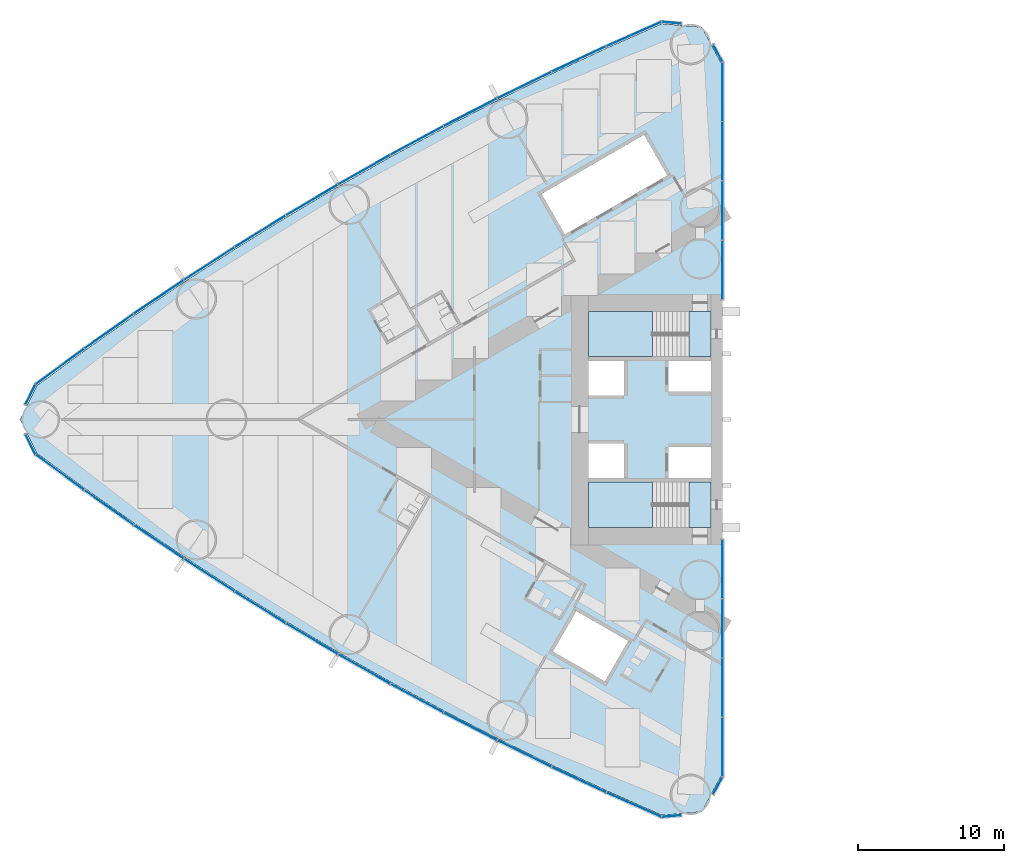
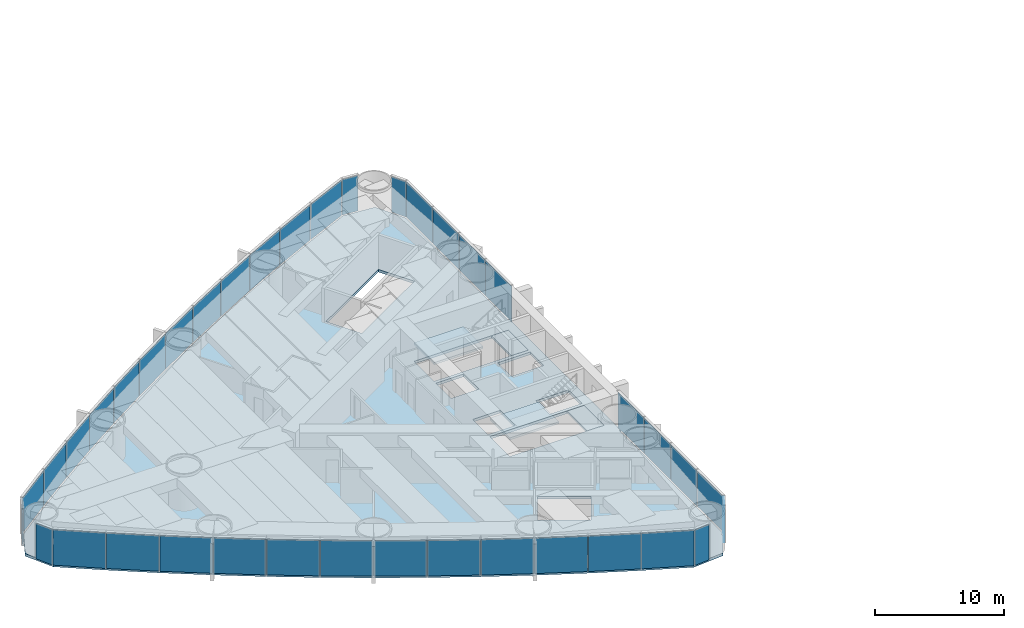
# One storey, part 9 of 19: 38 plates, 5 slabs, 6 elements without a shape of their own.
"""IFC4 building model written with IfcOpenShell, lengths in metres."""

from ifc_helpers import new_model, si_unit, direction, frame, origin, origin_2d, place, context, subcontext, project, spatial, polyline, rectangle, outline, extrude, material, layer, layer_set, type_object, element, aggregate, save


model = new_model("IFC4")

# Units and contexts
model_context = context("Model", 3, precision=1e-05, world=origin(), true_north=direction((0.0, 1.0)))
body_context = subcontext(model_context, "Body", "Model", "MODEL_VIEW")
ifc_project = project(units=[si_unit("LENGTHUNIT", "METRE"), si_unit("AREAUNIT", "SQUARE_METRE"), si_unit("VOLUMEUNIT", "CUBIC_METRE"), si_unit("PLANEANGLEUNIT", "RADIAN"), si_unit("MASSUNIT", "GRAM", prefix="KILO")], contexts=[model_context])

# Site, building, storey
site_placement = place(None, origin())
site = spatial("IfcSite", under=ifc_project, at=site_placement, CompositionType="ELEMENT")
building_placement = place(site_placement, origin())
building = spatial("IfcBuilding", under=site, at=building_placement, Name="Lancet Gate Hotel", CompositionType="ELEMENT")
storey_placement = place(building_placement, frame((0.0, 0.0, 21.5)))
storey = spatial("IfcBuildingStorey", under=building, at=storey_placement, Name="L04", CompositionType="ELEMENT", Elevation=21.5)

# Slab
ifc_material_1 = material(Name="Concrete C50/60", Category="concrete")
ifc_layer_1 = layer(ifc_material_1, 0.25)
ifc_layer_set_1 = layer_set([ifc_layer_1], Name="Floor slab 250")
slab_type_1 = type_object("IfcSlabType", Name="Floor slab 250", PredefinedType="FLOOR", material=ifc_layer_set_1)
slab_1_placement = place(storey_placement, frame((0.0, 0.0, -0.25)))
element("IfcSlab", 1, at=slab_1_placement, inside=storey, type_object=slab_type_1, Name="T1 L04 floor slab", PredefinedType="FLOOR", context=body_context, shape_type="SweptSolid", body=[
    extrude(outline(polyline([(-27.5, 8.60009765625), (-27.6201171875, 8.60009765625), (-27.6201171875, 24.4609375), (-28.926513671875, 26.8837890625), (-31.668212890625, 27.12353515625), (-35.424072265625, 25.458740234375), (-39.173583984375, 23.70849609375), (-42.887939453125, 21.884765625), (-46.56591796875, 19.98876953125), (-50.2060546875, 18.02099609375), (-53.806884765625, 15.982421875), (-57.366943359375, 13.87353515625), (-60.88525390625, 11.695068359375), (-64.360107421875, 9.448486328125), (-67.7900390625, 7.134033203125), (-71.17431640625, 4.752685546875), (-74.488525390625, 2.322021484375), (-75.65087890625, 0.0), (-74.488525390625, -2.322021484375), (-71.17431640625, -4.752685546875), (-67.7900390625, -7.134033203125), (-64.360107421875, -9.448486328125), (-60.88525390625, -11.695068359375), (-57.366943359375, -13.87353515625), (-53.806884765625, -15.982421875), (-50.2060546875, -18.02099609375), (-46.56591796875, -19.98876953125), (-42.887939453125, -21.884765625), (-39.173583984375, -23.70849609375), (-35.424072265625, -25.458740234375), (-31.668212890625, -27.12353515625), (-28.926513671875, -26.8837890625), (-27.6201171875, -24.4609375), (-27.6201171875, -8.60009765625), (-27.5, -8.60009765625), (-27.5, -8.199951171875), (-27.5, 8.199951171875), (-27.5, 8.60009765625)]), holes=[polyline([(-36.699951171875, 7.39990234375), (-36.699951171875, 4.300048828125), (-28.300048828125, 4.300048828125), (-28.300048828125, 7.39990234375), (-36.699951171875, 7.39990234375)]), polyline([(-28.300048828125, 4.0), (-31.199951171875, 4.0), (-31.199951171875, 1.89990234375), (-28.300048828125, 1.89990234375), (-28.300048828125, 4.0)]), polyline([(-34.25, 4.0), (-36.699951171875, 4.0), (-36.699951171875, 1.64990234375), (-34.25, 1.64990234375), (-34.25, 4.0)]), polyline([(-36.699951171875, -1.64990234375), (-36.699951171875, -4.0), (-34.25, -4.0), (-34.25, -1.64990234375), (-36.699951171875, -1.64990234375)]), polyline([(-28.300048828125, -1.89990234375), (-31.199951171875, -1.89990234375), (-31.199951171875, -4.0), (-28.300048828125, -4.0), (-28.300048828125, -1.89990234375)]), polyline([(-28.300048828125, -4.300048828125), (-36.699951171875, -4.300048828125), (-36.699951171875, -7.39990234375), (-28.300048828125, -7.39990234375), (-28.300048828125, -4.300048828125)]), polyline([(-31.2900390625, 16.73095703125), (-32.889892578125, 19.501953125), (-39.904052734375, 15.451904296875), (-38.303955078125, 12.680908203125), (-31.2900390625, 16.73095703125)]), polyline([(-33.97412109375, -15.180908203125), (-37.52490234375, -13.131103515625), (-39.125, -15.902099609375), (-35.573974609375, -17.951904296875), (-33.97412109375, -15.180908203125)])]), origin(), (0.0, 0.0, 1.0), 0.25),
])

# Stair, slabs
ifc_material_2 = material(Name="Exit stair 20 risers 1500")
stair_type = type_object("IfcStairType", Name="Exit stair 20 risers 1500", PredefinedType="HALF_TURN_STAIR", material=ifc_material_2)
stair_1_placement = place(storey_placement, origin())
stair_1 = element("IfcStair", 2, at=stair_1_placement, inside=storey, type_object=stair_type, Name="T1 stair 1 L04", PredefinedType="HALF_TURN_STAIR")
ifc_material_3 = material(Name="Concrete C40/50", Category="concrete")
ifc_layer_2 = layer(ifc_material_3, 0.199951171875)
ifc_layer_set_2 = layer_set([ifc_layer_2], Name="Stair landing 200")
slab_type_2 = type_object("IfcSlabType", Name="Stair landing 200", PredefinedType="LANDING", material=ifc_layer_set_2)
slab_2_placement = place(storey_placement, frame((0.0, 0.0, -0.199951171875)))
slab_2 = element("IfcSlab", 3, at=slab_2_placement, type_object=slab_type_2, Name="ST1 landing 1", PredefinedType="LANDING", context=body_context, shape_type="SweptSolid", body=[
    extrude(outline(polyline([(-28.300048828125, 7.39990234375), (-29.800048828125, 7.39990234375), (-29.800048828125, 4.300048828125), (-28.300048828125, 4.300048828125), (-28.300048828125, 7.39990234375)])), origin(), (0.0, 0.0, 1.0), 0.199951171875),
])
slab_3_placement = place(storey_placement, frame((0.0, 0.0, 1.550048828125)))
slab_3 = element("IfcSlab", 4, at=slab_3_placement, type_object=slab_type_2, Name="ST1 landing 2", PredefinedType="LANDING", context=body_context, shape_type="SweptSolid", body=[
    extrude(outline(polyline([(-32.320068359375, 7.39990234375), (-36.699951171875, 7.39990234375), (-36.699951171875, 4.300048828125), (-32.320068359375, 4.300048828125), (-32.320068359375, 7.39990234375)])), origin(), (0.0, 0.0, 1.0), 0.199951171875),
])
aggregate(stair_1, [slab_2, slab_3])

stair_2_placement = place(storey_placement, origin())
stair_2 = element("IfcStair", 5, at=stair_2_placement, inside=storey, type_object=stair_type, Name="T1 stair 2 L04", PredefinedType="HALF_TURN_STAIR")
slab_4_placement = place(storey_placement, frame((0.0, 0.0, -0.199951171875)))
slab_4 = element("IfcSlab", 6, at=slab_4_placement, type_object=slab_type_2, Name="ST2 landing 1", PredefinedType="LANDING", context=body_context, shape_type="SweptSolid", body=[
    extrude(outline(polyline([(-28.300048828125, -4.300048828125), (-29.800048828125, -4.300048828125), (-29.800048828125, -7.39990234375), (-28.300048828125, -7.39990234375), (-28.300048828125, -4.300048828125)])), origin(), (0.0, 0.0, 1.0), 0.199951171875),
])
slab_5_placement = place(storey_placement, frame((0.0, 0.0, 1.550048828125)))
slab_5 = element("IfcSlab", 7, at=slab_5_placement, type_object=slab_type_2, Name="ST2 landing 2", PredefinedType="LANDING", context=body_context, shape_type="SweptSolid", body=[
    extrude(outline(polyline([(-32.320068359375, -4.300048828125), (-36.699951171875, -4.300048828125), (-36.699951171875, -7.39990234375), (-32.320068359375, -7.39990234375), (-32.320068359375, -4.300048828125)])), origin(), (0.0, 0.0, 1.0), 0.199951171875),
])
aggregate(stair_2, [slab_4, slab_5])

# Curtain wall, plates
ifc_material_4 = material(Name="Aluminium curtain wall", Category="aluminium")
curtain_wall_type = type_object("IfcCurtainWallType", Name="Tower unitised curtain wall", PredefinedType="USERDEFINED", material=ifc_material_4)
curtain_wall_1_placement = place(storey_placement, origin())
curtain_wall_1 = element("IfcCurtainWall", 8, at=curtain_wall_1_placement, inside=storey, type_object=curtain_wall_type, Name="T1 L04 curtain wall 1", ObjectType="UNITISED CURTAIN WALL", PredefinedType="USERDEFINED")
ifc_material_5 = material(Name="Glass double glazed unit 8-16-6", Category="glass")
ifc_layer_3 = layer(ifc_material_5, 0.030029296875)
ifc_layer_set_3 = layer_set([ifc_layer_3], Name="Vision panel double glazed")
plate_type = type_object("IfcPlateType", Name="Vision panel double glazed", PredefinedType="CURTAIN_PANEL", material=ifc_layer_set_3)
plate_1_placement = place(storey_placement, frame((-27.5, 10.236328125, 0.0), z_axis=(0.0, 0.0, 1.0), x_axis=(0.0, 1.0, 0.0)))
plate_1 = element("IfcPlate", 9, at=plate_1_placement, type_object=plate_type, Name="T1 L04 curtain wall 1 panel 1", PredefinedType="CURTAIN_PANEL", context=body_context, shape_type="SweptSolid", body=[
    extrude(rectangle(XDim=4.0078125, YDim=0.030029296875, at=origin_2d()), origin(), (0.0, 0.0, 1.0), 3.35009765625),
])
plate_2_placement = place(storey_placement, frame((-27.5, 14.30908203125, 0.0), z_axis=(0.0, 0.0, 1.0), x_axis=(0.0, 1.0, 0.0)))
plate_2 = element("IfcPlate", 10, at=plate_2_placement, type_object=plate_type, Name="T1 L04 curtain wall 1 panel 2", PredefinedType="CURTAIN_PANEL", context=body_context, shape_type="SweptSolid", body=[
    extrude(rectangle(XDim=4.0078125, YDim=0.030029296875, at=origin_2d()), origin(), (0.0, 0.0, 1.0), 3.35009765625),
])
plate_3_placement = place(storey_placement, frame((-27.5, 18.382080078125, 0.0), z_axis=(0.0, 0.0, 1.0), x_axis=(0.0, 1.0, 0.0)))
plate_3 = element("IfcPlate", 11, at=plate_3_placement, type_object=plate_type, Name="T1 L04 curtain wall 1 panel 3", PredefinedType="CURTAIN_PANEL", context=body_context, shape_type="SweptSolid", body=[
    extrude(rectangle(XDim=4.0078125, YDim=0.030029296875, at=origin_2d()), origin(), (0.0, 0.0, 1.0), 3.35009765625),
])
plate_4_placement = place(storey_placement, frame((-27.5, 22.454833984375, 0.0), z_axis=(0.0, 0.0, 1.0), x_axis=(0.0, 1.0, 0.0)))
plate_4 = element("IfcPlate", 12, at=plate_4_placement, type_object=plate_type, Name="T1 L04 curtain wall 1 panel 4", PredefinedType="CURTAIN_PANEL", context=body_context, shape_type="SweptSolid", body=[
    extrude(rectangle(XDim=4.0078125, YDim=0.030029296875, at=origin_2d()), origin(), (0.0, 0.0, 1.0), 3.35009765625),
])
plate_5_placement = place(storey_placement, frame((-27.829345703125, 25.10205078125, 0.0), z_axis=(0.0, 0.0, 1.0), x_axis=(-0.474631040972, 0.880184852714, 0.0)))
plate_5 = element("IfcPlate", 13, at=plate_5_placement, type_object=plate_type, Name="T1 L04 curtain wall 1 panel 5", PredefinedType="CURTAIN_PANEL", context=body_context, shape_type="SweptSolid", body=[
    extrude(rectangle(XDim=1.322998046875, YDim=0.030029296875, at=origin_2d()), origin(), (0.0, 0.0, 1.0), 3.35009765625),
])
aggregate(curtain_wall_1, [plate_1, plate_2, plate_3, plate_4, plate_5])

curtain_wall_2_placement = place(storey_placement, origin())
curtain_wall_2 = element("IfcCurtainWall", 14, at=curtain_wall_2_placement, inside=storey, type_object=curtain_wall_type, Name="T1 L04 curtain wall 2", ObjectType="UNITISED CURTAIN WALL", PredefinedType="USERDEFINED")
plate_6_placement = place(storey_placement, frame((-30.99658203125, 27.185302734375, 0.0), z_axis=(0.0, 0.0, 1.0), x_axis=(-0.99620380374, 0.087051602022, 0.0)))
plate_6 = element("IfcPlate", 15, at=plate_6_placement, type_object=plate_type, Name="T1 L04 curtain wall 2 panel 1", PredefinedType="CURTAIN_PANEL", context=body_context, shape_type="SweptSolid", body=[
    extrude(rectangle(XDim=1.32421875, YDim=0.030029296875, at=origin_2d()), origin(), (0.0, 0.0, 1.0), 3.35009765625),
])
plate_7_placement = place(storey_placement, frame((-33.581298828125, 26.406982421875, 0.0), z_axis=(0.0, 0.0, 1.0), x_axis=(-0.914234183208, -0.405186201954, 0.0)))
plate_7 = element("IfcPlate", 16, at=plate_7_placement, type_object=plate_type, Name="T1 L04 curtain wall 2 panel 2", PredefinedType="CURTAIN_PANEL", context=body_context, shape_type="SweptSolid", body=[
    extrude(rectangle(XDim=4.0751953125, YDim=0.030029296875, at=origin_2d()), origin(), (0.0, 0.0, 1.0), 3.35009765625),
])
plate_8_placement = place(storey_placement, frame((-37.349609375, 24.6923828125, 0.0), z_axis=(0.0, 0.0, 1.0), x_axis=(-0.906117767284, -0.423025521467, 0.0)))
plate_8 = element("IfcPlate", 17, at=plate_8_placement, type_object=plate_type, Name="T1 L04 curtain wall 2 panel 3", PredefinedType="CURTAIN_PANEL", context=body_context, shape_type="SweptSolid", body=[
    extrude(rectangle(XDim=4.0751953125, YDim=0.030029296875, at=origin_2d()), origin(), (0.0, 0.0, 1.0), 3.35009765625),
])
plate_9_placement = place(storey_placement, frame((-41.083740234375, 22.904296875, 0.0), z_axis=(0.0, 0.0, 1.0), x_axis=(-0.897653295642, -0.440702349463, 0.0)))
plate_9 = element("IfcPlate", 18, at=plate_9_placement, type_object=plate_type, Name="T1 L04 curtain wall 2 panel 4", PredefinedType="CURTAIN_PANEL", context=body_context, shape_type="SweptSolid", body=[
    extrude(rectangle(XDim=4.0751953125, YDim=0.030029296875, at=origin_2d()), origin(), (0.0, 0.0, 1.0), 3.35009765625),
])
plate_10_placement = place(storey_placement, frame((-44.781982421875, 21.04345703125, 0.0), z_axis=(0.0, 0.0, 1.0), x_axis=(-0.888844019644, -0.458209895946, 0.0)))
plate_10 = element("IfcPlate", 19, at=plate_10_placement, type_object=plate_type, Name="T1 L04 curtain wall 2 panel 5", PredefinedType="CURTAIN_PANEL", context=body_context, shape_type="SweptSolid", body=[
    extrude(rectangle(XDim=4.0751953125, YDim=0.030029296875, at=origin_2d()), origin(), (0.0, 0.0, 1.0), 3.35009765625),
])
plate_11_placement = place(storey_placement, frame((-48.443115234375, 19.110595703125, 0.0), z_axis=(0.0, 0.0, 1.0), x_axis=(-0.87969332307, -0.475541435993, 0.0)))
plate_11 = element("IfcPlate", 20, at=plate_11_placement, type_object=plate_type, Name="T1 L04 curtain wall 2 panel 6", PredefinedType="CURTAIN_PANEL", context=body_context, shape_type="SweptSolid", body=[
    extrude(rectangle(XDim=4.0751953125, YDim=0.030029296875, at=origin_2d()), origin(), (0.0, 0.0, 1.0), 3.35009765625),
])
plate_12_placement = place(storey_placement, frame((-52.065673828125, 17.106201171875, 0.0), z_axis=(0.0, 0.0, 1.0), x_axis=(-0.870204720871, -0.492690312238, 0.0)))
plate_12 = element("IfcPlate", 21, at=plate_12_placement, type_object=plate_type, Name="T1 L04 curtain wall 2 panel 7", PredefinedType="CURTAIN_PANEL", context=body_context, shape_type="SweptSolid", body=[
    extrude(rectangle(XDim=4.0751953125, YDim=0.030029296875, at=origin_2d()), origin(), (0.0, 0.0, 1.0), 3.35009765625),
])
plate_13_placement = place(storey_placement, frame((-55.648193359375, 15.031005859375, 0.0), z_axis=(0.0, 0.0, 1.0), x_axis=(-0.860381857795, -0.509649937484, 0.0)))
plate_13 = element("IfcPlate", 22, at=plate_13_placement, type_object=plate_type, Name="T1 L04 curtain wall 2 panel 8", PredefinedType="CURTAIN_PANEL", context=body_context, shape_type="SweptSolid", body=[
    extrude(rectangle(XDim=4.0751953125, YDim=0.030029296875, at=origin_2d()), origin(), (0.0, 0.0, 1.0), 3.35009765625),
])
plate_14_placement = place(storey_placement, frame((-59.189208984375, 12.88623046875, 0.0), z_axis=(0.0, 0.0, 1.0), x_axis=(-0.850228506958, -0.52641379727, 0.0)))
plate_14 = element("IfcPlate", 23, at=plate_14_placement, type_object=plate_type, Name="T1 L04 curtain wall 2 panel 9", PredefinedType="CURTAIN_PANEL", context=body_context, shape_type="SweptSolid", body=[
    extrude(rectangle(XDim=4.0751953125, YDim=0.030029296875, at=origin_2d()), origin(), (0.0, 0.0, 1.0), 3.35009765625),
])
plate_15_placement = place(storey_placement, frame((-62.687744140625, 10.672607421875, 0.0), z_axis=(0.0, 0.0, 1.0), x_axis=(-0.839748568448, -0.54297545229, 0.0)))
plate_15 = element("IfcPlate", 24, at=plate_15_placement, type_object=plate_type, Name="T1 L04 curtain wall 2 panel 10", PredefinedType="CURTAIN_PANEL", context=body_context, shape_type="SweptSolid", body=[
    extrude(rectangle(XDim=4.0751953125, YDim=0.030029296875, at=origin_2d()), origin(), (0.0, 0.0, 1.0), 3.35009765625),
])
plate_16_placement = place(storey_placement, frame((-66.142333984375, 8.390625, 0.0), z_axis=(0.0, 0.0, 1.0), x_axis=(-0.828946067803, -0.559328540907, 0.0)))
plate_16 = element("IfcPlate", 25, at=plate_16_placement, type_object=plate_type, Name="T1 L04 curtain wall 2 panel 11", PredefinedType="CURTAIN_PANEL", context=body_context, shape_type="SweptSolid", body=[
    extrude(rectangle(XDim=4.0751953125, YDim=0.030029296875, at=origin_2d()), origin(), (0.0, 0.0, 1.0), 3.35009765625),
])
plate_17_placement = place(storey_placement, frame((-69.55126953125, 6.04150390625, 0.0), z_axis=(0.0, 0.0, 1.0), x_axis=(-0.817825154435, -0.575466781642, 0.0)))
plate_17 = element("IfcPlate", 26, at=plate_17_placement, type_object=plate_type, Name="T1 L04 curtain wall 2 panel 12", PredefinedType="CURTAIN_PANEL", context=body_context, shape_type="SweptSolid", body=[
    extrude(rectangle(XDim=4.0751953125, YDim=0.030029296875, at=origin_2d()), origin(), (0.0, 0.0, 1.0), 3.35009765625),
])
plate_18_placement = place(storey_placement, frame((-72.91357421875, 3.6259765625, 0.0), z_axis=(0.0, 0.0, 1.0), x_axis=(-0.80639010009, -0.591383975499, 0.0)))
plate_18 = element("IfcPlate", 27, at=plate_18_placement, type_object=plate_type, Name="T1 L04 curtain wall 2 panel 13", PredefinedType="CURTAIN_PANEL", context=body_context, shape_type="SweptSolid", body=[
    extrude(rectangle(XDim=4.0751953125, YDim=0.030029296875, at=origin_2d()), origin(), (0.0, 0.0, 1.0), 3.35009765625),
])
plate_19_placement = place(storey_placement, frame((-74.93505859375, 1.6982421875, 0.0), z_axis=(0.0, 0.0, 1.0), x_axis=(-0.447628324726, -0.89421970617, 0.0)))
plate_19 = element("IfcPlate", 28, at=plate_19_placement, type_object=plate_type, Name="T1 L04 curtain wall 2 panel 14", PredefinedType="CURTAIN_PANEL", context=body_context, shape_type="SweptSolid", body=[
    extrude(rectangle(XDim=1.50830078125, YDim=0.030029296875, at=origin_2d()), origin(), (0.0, 0.0, 1.0), 3.35009765625),
])
aggregate(curtain_wall_2, [plate_6, plate_7, plate_8, plate_9, plate_10, plate_11, plate_12, plate_13, plate_14, plate_15, plate_16, plate_17, plate_18, plate_19])

curtain_wall_3_placement = place(storey_placement, origin())
curtain_wall_3 = element("IfcCurtainWall", 29, at=curtain_wall_3_placement, inside=storey, type_object=curtain_wall_type, Name="T1 L04 curtain wall 3", ObjectType="UNITISED CURTAIN WALL", PredefinedType="USERDEFINED")
plate_20_placement = place(storey_placement, frame((-74.93505859375, -1.6982421875, 0.0), z_axis=(0.0, 0.0, 1.0), x_axis=(0.447628324726, -0.89421970617, 0.0)))
plate_20 = element("IfcPlate", 30, at=plate_20_placement, type_object=plate_type, Name="T1 L04 curtain wall 3 panel 1", PredefinedType="CURTAIN_PANEL", context=body_context, shape_type="SweptSolid", body=[
    extrude(rectangle(XDim=1.50830078125, YDim=0.030029296875, at=origin_2d()), origin(), (0.0, 0.0, 1.0), 3.35009765625),
])
plate_21_placement = place(storey_placement, frame((-72.91357421875, -3.6259765625, 0.0), z_axis=(0.0, 0.0, 1.0), x_axis=(0.80639010009, -0.591383975499, 0.0)))
plate_21 = element("IfcPlate", 31, at=plate_21_placement, type_object=plate_type, Name="T1 L04 curtain wall 3 panel 2", PredefinedType="CURTAIN_PANEL", context=body_context, shape_type="SweptSolid", body=[
    extrude(rectangle(XDim=4.0751953125, YDim=0.030029296875, at=origin_2d()), origin(), (0.0, 0.0, 1.0), 3.35009765625),
])
plate_22_placement = place(storey_placement, frame((-69.55126953125, -6.04150390625, 0.0), z_axis=(0.0, 0.0, 1.0), x_axis=(0.817825154435, -0.575466781642, 0.0)))
plate_22 = element("IfcPlate", 32, at=plate_22_placement, type_object=plate_type, Name="T1 L04 curtain wall 3 panel 3", PredefinedType="CURTAIN_PANEL", context=body_context, shape_type="SweptSolid", body=[
    extrude(rectangle(XDim=4.0751953125, YDim=0.030029296875, at=origin_2d()), origin(), (0.0, 0.0, 1.0), 3.35009765625),
])
plate_23_placement = place(storey_placement, frame((-66.142333984375, -8.390625, 0.0), z_axis=(0.0, 0.0, 1.0), x_axis=(0.828946067803, -0.559328540907, 0.0)))
plate_23 = element("IfcPlate", 33, at=plate_23_placement, type_object=plate_type, Name="T1 L04 curtain wall 3 panel 4", PredefinedType="CURTAIN_PANEL", context=body_context, shape_type="SweptSolid", body=[
    extrude(rectangle(XDim=4.0751953125, YDim=0.030029296875, at=origin_2d()), origin(), (0.0, 0.0, 1.0), 3.35009765625),
])
plate_24_placement = place(storey_placement, frame((-62.687744140625, -10.672607421875, 0.0), z_axis=(0.0, 0.0, 1.0), x_axis=(0.839748568448, -0.54297545229, 0.0)))
plate_24 = element("IfcPlate", 34, at=plate_24_placement, type_object=plate_type, Name="T1 L04 curtain wall 3 panel 5", PredefinedType="CURTAIN_PANEL", context=body_context, shape_type="SweptSolid", body=[
    extrude(rectangle(XDim=4.0751953125, YDim=0.030029296875, at=origin_2d()), origin(), (0.0, 0.0, 1.0), 3.35009765625),
])
plate_25_placement = place(storey_placement, frame((-59.189208984375, -12.88623046875, 0.0), z_axis=(0.0, 0.0, 1.0), x_axis=(0.850228506958, -0.52641379727, 0.0)))
plate_25 = element("IfcPlate", 35, at=plate_25_placement, type_object=plate_type, Name="T1 L04 curtain wall 3 panel 6", PredefinedType="CURTAIN_PANEL", context=body_context, shape_type="SweptSolid", body=[
    extrude(rectangle(XDim=4.0751953125, YDim=0.030029296875, at=origin_2d()), origin(), (0.0, 0.0, 1.0), 3.35009765625),
])
plate_26_placement = place(storey_placement, frame((-55.648193359375, -15.031005859375, 0.0), z_axis=(0.0, 0.0, 1.0), x_axis=(0.860381857795, -0.509649937484, 0.0)))
plate_26 = element("IfcPlate", 36, at=plate_26_placement, type_object=plate_type, Name="T1 L04 curtain wall 3 panel 7", PredefinedType="CURTAIN_PANEL", context=body_context, shape_type="SweptSolid", body=[
    extrude(rectangle(XDim=4.0751953125, YDim=0.030029296875, at=origin_2d()), origin(), (0.0, 0.0, 1.0), 3.35009765625),
])
plate_27_placement = place(storey_placement, frame((-52.065673828125, -17.106201171875, 0.0), z_axis=(0.0, 0.0, 1.0), x_axis=(0.870204720871, -0.492690312238, 0.0)))
plate_27 = element("IfcPlate", 37, at=plate_27_placement, type_object=plate_type, Name="T1 L04 curtain wall 3 panel 8", PredefinedType="CURTAIN_PANEL", context=body_context, shape_type="SweptSolid", body=[
    extrude(rectangle(XDim=4.0751953125, YDim=0.030029296875, at=origin_2d()), origin(), (0.0, 0.0, 1.0), 3.35009765625),
])
plate_28_placement = place(storey_placement, frame((-48.443115234375, -19.110595703125, 0.0), z_axis=(0.0, 0.0, 1.0), x_axis=(0.87969332307, -0.475541435993, 0.0)))
plate_28 = element("IfcPlate", 38, at=plate_28_placement, type_object=plate_type, Name="T1 L04 curtain wall 3 panel 9", PredefinedType="CURTAIN_PANEL", context=body_context, shape_type="SweptSolid", body=[
    extrude(rectangle(XDim=4.0751953125, YDim=0.030029296875, at=origin_2d()), origin(), (0.0, 0.0, 1.0), 3.35009765625),
])
plate_29_placement = place(storey_placement, frame((-44.781982421875, -21.04345703125, 0.0), z_axis=(0.0, 0.0, 1.0), x_axis=(0.888844019644, -0.458209895946, 0.0)))
plate_29 = element("IfcPlate", 39, at=plate_29_placement, type_object=plate_type, Name="T1 L04 curtain wall 3 panel 10", PredefinedType="CURTAIN_PANEL", context=body_context, shape_type="SweptSolid", body=[
    extrude(rectangle(XDim=4.0751953125, YDim=0.030029296875, at=origin_2d()), origin(), (0.0, 0.0, 1.0), 3.35009765625),
])
plate_30_placement = place(storey_placement, frame((-41.083740234375, -22.904296875, 0.0), z_axis=(0.0, 0.0, 1.0), x_axis=(0.897653295642, -0.440702349463, 0.0)))
plate_30 = element("IfcPlate", 40, at=plate_30_placement, type_object=plate_type, Name="T1 L04 curtain wall 3 panel 11", PredefinedType="CURTAIN_PANEL", context=body_context, shape_type="SweptSolid", body=[
    extrude(rectangle(XDim=4.0751953125, YDim=0.030029296875, at=origin_2d()), origin(), (0.0, 0.0, 1.0), 3.35009765625),
])
plate_31_placement = place(storey_placement, frame((-37.349609375, -24.6923828125, 0.0), z_axis=(0.0, 0.0, 1.0), x_axis=(0.906117767284, -0.423025521467, 0.0)))
plate_31 = element("IfcPlate", 41, at=plate_31_placement, type_object=plate_type, Name="T1 L04 curtain wall 3 panel 12", PredefinedType="CURTAIN_PANEL", context=body_context, shape_type="SweptSolid", body=[
    extrude(rectangle(XDim=4.0751953125, YDim=0.030029296875, at=origin_2d()), origin(), (0.0, 0.0, 1.0), 3.35009765625),
])
plate_32_placement = place(storey_placement, frame((-33.581298828125, -26.406982421875, 0.0), z_axis=(0.0, 0.0, 1.0), x_axis=(0.914234183208, -0.405186201954, 0.0)))
plate_32 = element("IfcPlate", 42, at=plate_32_placement, type_object=plate_type, Name="T1 L04 curtain wall 3 panel 13", PredefinedType="CURTAIN_PANEL", context=body_context, shape_type="SweptSolid", body=[
    extrude(rectangle(XDim=4.0751953125, YDim=0.030029296875, at=origin_2d()), origin(), (0.0, 0.0, 1.0), 3.35009765625),
])
plate_33_placement = place(storey_placement, frame((-30.99658203125, -27.185302734375, 0.0), z_axis=(0.0, 0.0, 1.0), x_axis=(0.99620380374, 0.087051602022, 0.0)))
plate_33 = element("IfcPlate", 43, at=plate_33_placement, type_object=plate_type, Name="T1 L04 curtain wall 3 panel 14", PredefinedType="CURTAIN_PANEL", context=body_context, shape_type="SweptSolid", body=[
    extrude(rectangle(XDim=1.32421875, YDim=0.030029296875, at=origin_2d()), origin(), (0.0, 0.0, 1.0), 3.35009765625),
])
aggregate(curtain_wall_3, [plate_20, plate_21, plate_22, plate_23, plate_24, plate_25, plate_26, plate_27, plate_28, plate_29, plate_30, plate_31, plate_32, plate_33])

curtain_wall_4_placement = place(storey_placement, origin())
curtain_wall_4 = element("IfcCurtainWall", 44, at=curtain_wall_4_placement, inside=storey, type_object=curtain_wall_type, Name="T1 L04 curtain wall 4", ObjectType="UNITISED CURTAIN WALL", PredefinedType="USERDEFINED")
plate_34_placement = place(storey_placement, frame((-27.829345703125, -25.10205078125, 0.0), z_axis=(0.0, 0.0, 1.0), x_axis=(0.474631040972, 0.880184852714, 0.0)))
plate_34 = element("IfcPlate", 45, at=plate_34_placement, type_object=plate_type, Name="T1 L04 curtain wall 4 panel 1", PredefinedType="CURTAIN_PANEL", context=body_context, shape_type="SweptSolid", body=[
    extrude(rectangle(XDim=1.322998046875, YDim=0.030029296875, at=origin_2d()), origin(), (0.0, 0.0, 1.0), 3.35009765625),
])
plate_35_placement = place(storey_placement, frame((-27.5, -22.454833984375, 0.0), z_axis=(0.0, 0.0, 1.0), x_axis=(0.0, 1.0, 0.0)))
plate_35 = element("IfcPlate", 46, at=plate_35_placement, type_object=plate_type, Name="T1 L04 curtain wall 4 panel 2", PredefinedType="CURTAIN_PANEL", context=body_context, shape_type="SweptSolid", body=[
    extrude(rectangle(XDim=4.0078125, YDim=0.030029296875, at=origin_2d()), origin(), (0.0, 0.0, 1.0), 3.35009765625),
])
plate_36_placement = place(storey_placement, frame((-27.5, -18.382080078125, 0.0), z_axis=(0.0, 0.0, 1.0), x_axis=(0.0, 1.0, 0.0)))
plate_36 = element("IfcPlate", 47, at=plate_36_placement, type_object=plate_type, Name="T1 L04 curtain wall 4 panel 3", PredefinedType="CURTAIN_PANEL", context=body_context, shape_type="SweptSolid", body=[
    extrude(rectangle(XDim=4.0078125, YDim=0.030029296875, at=origin_2d()), origin(), (0.0, 0.0, 1.0), 3.35009765625),
])
plate_37_placement = place(storey_placement, frame((-27.5, -14.30908203125, 0.0), z_axis=(0.0, 0.0, 1.0), x_axis=(0.0, 1.0, 0.0)))
plate_37 = element("IfcPlate", 48, at=plate_37_placement, type_object=plate_type, Name="T1 L04 curtain wall 4 panel 4", PredefinedType="CURTAIN_PANEL", context=body_context, shape_type="SweptSolid", body=[
    extrude(rectangle(XDim=4.0078125, YDim=0.030029296875, at=origin_2d()), origin(), (0.0, 0.0, 1.0), 3.35009765625),
])
plate_38_placement = place(storey_placement, frame((-27.5, -10.236328125, 0.0), z_axis=(0.0, 0.0, 1.0), x_axis=(0.0, 1.0, 0.0)))
plate_38 = element("IfcPlate", 49, at=plate_38_placement, type_object=plate_type, Name="T1 L04 curtain wall 4 panel 5", PredefinedType="CURTAIN_PANEL", context=body_context, shape_type="SweptSolid", body=[
    extrude(rectangle(XDim=4.0078125, YDim=0.030029296875, at=origin_2d()), origin(), (0.0, 0.0, 1.0), 3.35009765625),
])
aggregate(curtain_wall_4, [plate_34, plate_35, plate_36, plate_37, plate_38])

save(model, "model.ifc")
